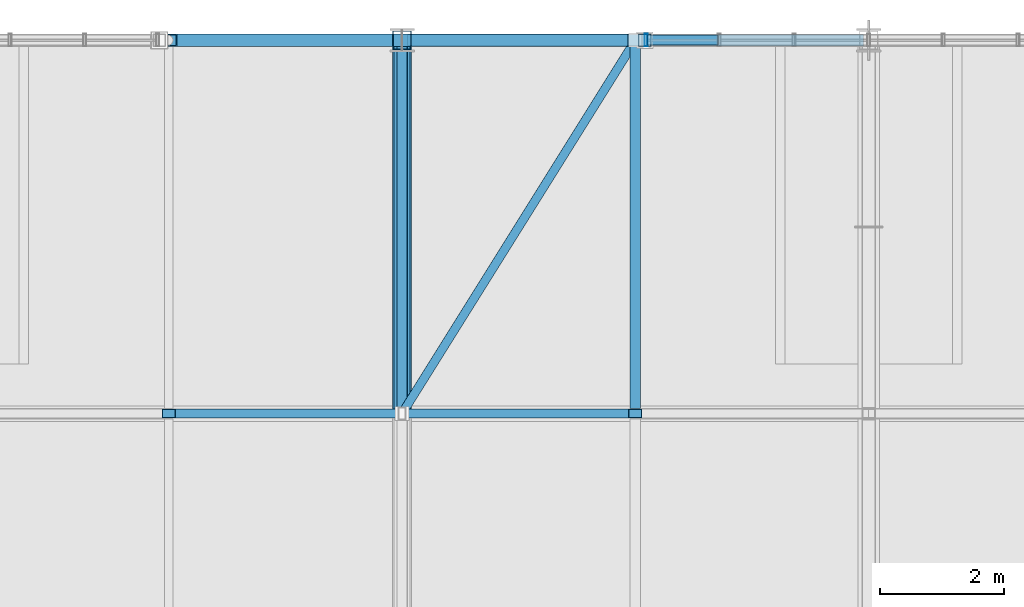
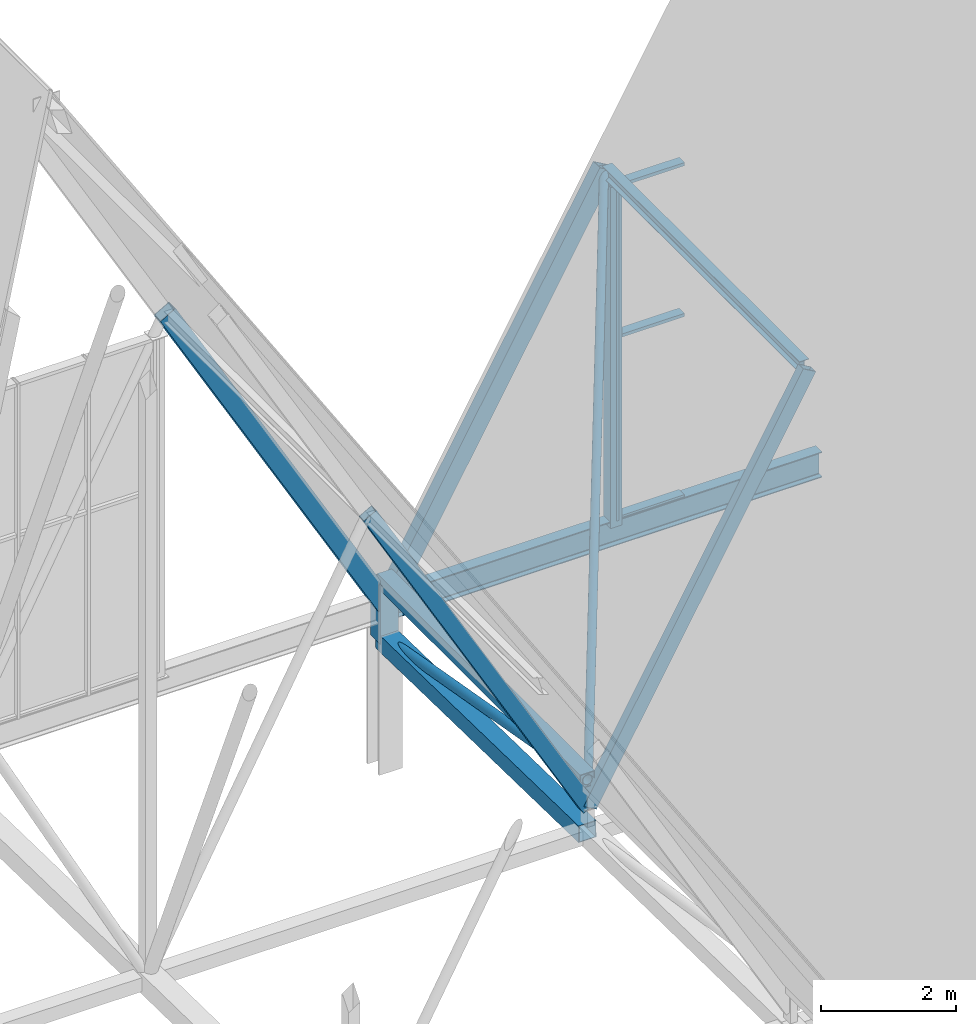
# One storey, part 155 of 324: 14 members, 2 beams, 1 element without a shape of its own.
"""IFC4 building model written with IfcOpenShell, lengths in metres."""

from ifc_helpers import new_model, si_unit, direction, frame, origin, origin_2d, place, context, subcontext, project, spatial, hollow_rectangle, hollow_circle, i_section, extrude, material, layer, layer_set, material_profile, profile_set, type_object, element, aggregate, save


model = new_model("IFC4")

# Units and contexts
model_context = context("Model", 3, precision=1e-05, world=origin(), true_north=direction((0.0, 1.0)))
body_context = subcontext(model_context, "Body", "Model", "MODEL_VIEW")
ifc_project = project(units=[si_unit("LENGTHUNIT", "METRE"), si_unit("AREAUNIT", "SQUARE_METRE"), si_unit("VOLUMEUNIT", "CUBIC_METRE"), si_unit("PLANEANGLEUNIT", "RADIAN"), si_unit("MASSUNIT", "GRAM", prefix="KILO")], contexts=[model_context])

# Site, building, storey
site_placement = place(None, origin())
site = spatial("IfcSite", under=ifc_project, at=site_placement, CompositionType="ELEMENT")
building_placement = place(site_placement, origin())
building = spatial("IfcBuilding", under=site, at=building_placement, Name="Solvenia Promenade Tram Depot", CompositionType="ELEMENT")
storey_placement = place(building_placement, frame((0.0, 0.0, 4.5)))
storey = spatial("IfcBuildingStorey", under=building, at=storey_placement, Name="L01", CompositionType="ELEMENT", Elevation=4.5)

# Curtain wall, members
ifc_material_1 = material(Name="Anodized aluminium AW-6063 T6", Category="aluminium")
ifc_layer = layer(ifc_material_1, 0.14990234375, Name="Anodized aluminium AW-6063 T6", Category="aluminium")
ifc_layer_set = layer_set([ifc_layer], Name="Anodized aluminium AW-6063 T6")
curtain_wall_type = type_object("IfcCurtainWallType", Name="CW-Gable-1200", PredefinedType="NOTDEFINED", material=ifc_layer_set)
curtain_wall_placement = place(storey_placement, origin())
curtain_wall = element("IfcCurtainWall", 1, at=curtain_wall_placement, inside=storey, type_object=curtain_wall_type, Name="North Zigzag Gable 06 Peak Glazing", PredefinedType="NOTDEFINED")
ifc_material_profile_1 = material_profile(ifc_material_1, hollow_rectangle(XDim=0.199951171875, YDim=0.048095703125, WallThickness=0.00390625, at=origin_2d()), Name="ALU-M3", Category="aluminium")
ifc_profile_set_1 = profile_set([ifc_material_profile_1], Name="Anodized aluminium AW-6063 T6")
member_type_1 = type_object("IfcMemberType", Name="CWM-Mullion-3", PredefinedType="MULLION", material=ifc_profile_set_1)
member_1_placement = place(storey_placement, frame((78.924072265625, 126.0, 3.10009765625), z_axis=(0.0, 0.0, 1.0), x_axis=(0.0, 1.0, 0.0)))
member_1 = element("IfcMember", 2, at=member_1_placement, type_object=member_type_1, Name="CW-3 mullion 1", PredefinedType="MULLION", context=body_context, shape_type="SweptSolid", body=[
    extrude(hollow_rectangle(XDim=0.199951171875, YDim=0.048095703125, WallThickness=0.00390625, at=origin_2d()), origin(), (0.0, 0.0, 1.0), 6.0498046875),
])
ifc_material_profile_2 = material_profile(ifc_material_1, hollow_rectangle(XDim=0.159912109375, YDim=0.05810546875, WallThickness=0.00390625, at=origin_2d()), Name="ALU-T3", Category="aluminium")
ifc_profile_set_2 = profile_set([ifc_material_profile_2], Name="Anodized aluminium AW-6063 T6")
member_type_2 = type_object("IfcMemberType", Name="CWT-Transom-3", PredefinedType="USERDEFINED", material=ifc_profile_set_2)
member_2_placement = place(storey_placement, frame((78.947998046875, 126.0, 3.12890625), z_axis=(1.0, 0.0, 0.0), x_axis=(0.0, 1.0, 0.0)))
member_2 = element("IfcMember", 3, at=member_2_placement, type_object=member_type_2, Name="CW-3 transom 1.1", ObjectType="TRANSOM", PredefinedType="USERDEFINED", context=body_context, shape_type="SweptSolid", body=[
    extrude(hollow_rectangle(XDim=0.159912109375, YDim=0.05810546875, WallThickness=0.00390625, at=origin_2d()), origin(), (0.0, 0.0, 1.0), 1.1279296875),
])
member_3_placement = place(storey_placement, frame((78.947998046875, 126.0, 6.39990234375), z_axis=(1.0, 0.0, 0.0), x_axis=(0.0, 1.0, 0.0)))
member_3 = element("IfcMember", 4, at=member_3_placement, type_object=member_type_2, Name="CW-3 transom 1.2", ObjectType="TRANSOM", PredefinedType="USERDEFINED", context=body_context, shape_type="SweptSolid", body=[
    extrude(hollow_rectangle(XDim=0.159912109375, YDim=0.05810546875, WallThickness=0.00390625, at=origin_2d()), origin(), (0.0, 0.0, 1.0), 1.1279296875),
])
member_4_placement = place(storey_placement, frame((78.947998046875, 126.0, 9.12109375), z_axis=(1.0, 0.0, 0.0), x_axis=(0.0, 1.0, 0.0)))
member_4 = element("IfcMember", 5, at=member_4_placement, type_object=member_type_2, Name="CW-3 transom 1.3", ObjectType="TRANSOM", PredefinedType="USERDEFINED", context=body_context, shape_type="SweptSolid", body=[
    extrude(hollow_rectangle(XDim=0.159912109375, YDim=0.05810546875, WallThickness=0.00390625, at=origin_2d()), origin(), (0.0, 0.0, 1.0), 1.1279296875),
])
aggregate(curtain_wall, [member_1, member_2, member_3, member_4])

# Members
ifc_material_2 = material(Name="Structural steel ASTM A500 Gr. C", Category="steel")
ifc_material_profile_3 = material_profile(ifc_material_2, hollow_rectangle(XDim=0.14990234375, YDim=0.25, WallThickness=0.010009765625, at=origin_2d()), Name="HSS250x150x10", Category="steel")
ifc_profile_set_3 = profile_set([ifc_material_profile_3], Name="Structural steel ASTM A500 Gr. C")
member_type_3 = type_object("IfcMemberType", Name="Chord-HSS250x150x10", PredefinedType="CHORD", material=ifc_profile_set_3)
for number, where, z_axis, x_axis, name in (
    (6, (71.25, 120.0, 9.501220703125), (0.494861595532, 0.0, -0.868971806946), (0.0, 1.0, 0.0), "Zigzag Gable 05 East Lower Rafter"),
    (7, (75.0, 120.0, 2.916259765625), (0.494861595532, 0.0, 0.868971806946), (0.0, 1.0, 0.0), "Zigzag Gable 06 West Lower Rafter"),
):
    element("IfcMember", number, at=place(storey_placement, frame(where, z_axis=z_axis, x_axis=x_axis)), inside=storey, type_object=member_type_3, Name=name, PredefinedType="CHORD", context=body_context, shape_type="SweptSolid", body=[
        extrude(hollow_rectangle(XDim=0.14990234375, YDim=0.25, WallThickness=0.010009765625, at=origin_2d()), origin(), (0.0, 0.0, 1.0), 7.577880859375),
    ])
ifc_material_profile_4 = material_profile(ifc_material_2, hollow_rectangle(XDim=0.25, YDim=0.25, WallThickness=0.010009765625, at=origin_2d()), Name="HSS250x250x10", Category="steel")
ifc_profile_set_4 = profile_set([ifc_material_profile_4], Name="Structural steel ASTM A500 Gr. C")
member_type_4 = type_object("IfcMemberType", Name="Chord-HSS250x250x10", PredefinedType="CHORD", material=ifc_profile_set_4)
member_5_placement = place(storey_placement, frame((75.0, 120.0, 3.3798828125), z_axis=(0.0, 1.0, 0.0), x_axis=(-1.0, 0.0, 0.0)))
element("IfcMember", 8, at=member_5_placement, inside=storey, type_object=member_type_4, Name="Arched Truss T11 Upper Chord S10", PredefinedType="CHORD", context=body_context, shape_type="SweptSolid", body=[
    extrude(hollow_rectangle(XDim=0.25, YDim=0.25, WallThickness=0.010009765625, at=origin_2d()), origin(), (0.0, 0.0, 1.0), 6.0),
])
ifc_material_profile_5 = material_profile(ifc_material_2, hollow_rectangle(XDim=0.199951171875, YDim=0.300048828125, WallThickness=0.012451171875, at=origin_2d()), Name="HSS300x200x12.5", Category="steel")
ifc_profile_set_5 = profile_set([ifc_material_profile_5], Name="Structural steel ASTM A500 Gr. C")
member_type_5 = type_object("IfcMemberType", Name="Chord-HSS300x200x12", PredefinedType="CHORD", material=ifc_profile_set_5)
for number, where, z_axis, x_axis, name in (
    (9, (71.25, 126.0, 9.501220703125), (0.494861595532, 0.0, -0.868971806946), (0.0, 1.0, 0.0), "Zigzag Gable 05 East Lower Rafter"),
    (10, (75.0, 126.0, 2.916259765625), (0.494861595532, 0.0, 0.868971806946), (0.0, 1.0, 0.0), "Zigzag Gable 06 West Lower Rafter"),
):
    element("IfcMember", number, at=place(storey_placement, frame(where, z_axis=z_axis, x_axis=x_axis)), inside=storey, type_object=member_type_5, Name=name, PredefinedType="CHORD", context=body_context, shape_type="SweptSolid", body=[
        extrude(hollow_rectangle(XDim=0.199951171875, YDim=0.300048828125, WallThickness=0.012451171875, at=origin_2d()), origin(), (0.0, 0.0, 1.0), 7.577880859375),
    ])
ifc_material_profile_6 = material_profile(ifc_material_2, hollow_rectangle(XDim=0.300048828125, YDim=0.300048828125, WallThickness=0.012451171875, at=origin_2d()), Name="HSS300x300x12.5", Category="steel")
ifc_profile_set_6 = profile_set([ifc_material_profile_6], Name="Structural steel ASTM A500 Gr. C")
member_type_6 = type_object("IfcMemberType", Name="Chord-HSS300x300x12", PredefinedType="CHORD", material=ifc_profile_set_6)
member_6_placement = place(storey_placement, frame((75.0, 126.0, 2.320068359375), z_axis=(0.0, 0.0, 1.0), x_axis=(1.0, 0.0, 0.0)))
element("IfcMember", 11, at=member_6_placement, inside=storey, type_object=member_type_6, Name="Arched Truss T11 N End Post", PredefinedType="CHORD", context=body_context, shape_type="SweptSolid", body=[
    extrude(hollow_rectangle(XDim=0.300048828125, YDim=0.300048828125, WallThickness=0.012451171875, at=origin_2d()), origin(), (0.0, 0.0, 1.0), 1.059814453125),
])
member_7_placement = place(storey_placement, frame((75.0, 120.0, 2.446044921875), z_axis=(0.0, 0.999779654873, -0.020991467363), x_axis=(-1.0, 0.0, 0.0)))
element("IfcMember", 12, at=member_7_placement, inside=storey, type_object=member_type_6, Name="Arched Truss T11 Bottom Chord S10", PredefinedType="CHORD", context=body_context, shape_type="SweptSolid", body=[
    extrude(hollow_rectangle(XDim=0.300048828125, YDim=0.300048828125, WallThickness=0.012451171875, at=origin_2d()), origin(), (0.0, 0.0, 1.0), 6.001220703125),
])
ifc_material_profile_7 = material_profile(ifc_material_2, hollow_rectangle(XDim=0.199951171875, YDim=0.199951171875, WallThickness=0.010009765625, at=origin_2d()), Name="HSS200x200x10", Category="steel")
ifc_profile_set_7 = profile_set([ifc_material_profile_7], Name="Structural steel ASTM A500 Gr. C")
member_type_7 = type_object("IfcMemberType", Name="Post-HSS200x200x10", PredefinedType="POST", material=ifc_profile_set_7)
member_8_placement = place(storey_placement, frame((78.89990234375, 126.0, 3.0), z_axis=(0.0, 0.0, 1.0), x_axis=(1.0, 0.0, 0.0)))
element("IfcMember", 13, at=member_8_placement, inside=storey, type_object=member_type_7, Name="Gable Curtain-Wall Steel Jamb Post 021", PredefinedType="POST", context=body_context, shape_type="SweptSolid", body=[
    extrude(hollow_rectangle(XDim=0.199951171875, YDim=0.199951171875, WallThickness=0.010009765625, at=origin_2d()), origin(), (0.0, 0.0, 1.0), 6.14990234375),
])

# Beam
ifc_material_3 = material(Name="Structural steel ASTM A992 Gr. 50", Category="steel")
ifc_material_profile_8 = material_profile(ifc_material_3, i_section(OverallWidth=0.1650390625, OverallDepth=0.200927734375, WebThickness=0.006103515625, FlangeThickness=0.01025390625, FilletRadius=0.010009765625, at=origin_2d()), Name="W200x36", Category="steel")
ifc_profile_set_8 = profile_set([ifc_material_profile_8], Name="Structural steel ASTM A992 Gr. 50")
beam_type_1 = type_object("IfcBeamType", Name="Purlin-W200x36", PredefinedType="USERDEFINED", material=ifc_profile_set_8)
beam_1_placement = place(storey_placement, frame((78.75, 120.0849609375, 9.484130859375), z_axis=(0.0, 1.0, 0.0), x_axis=(-1.0, 0.0, 0.0)))
element("IfcBeam", 14, at=beam_1_placement, inside=storey, type_object=beam_type_1, Name="Gable Roof Purlin W-0119", ObjectType="PURLIN", PredefinedType="USERDEFINED", context=body_context, shape_type="SweptSolid", body=[
    extrude(i_section(OverallWidth=0.1650390625, OverallDepth=0.200927734375, WebThickness=0.006103515625, FlangeThickness=0.01025390625, FilletRadius=0.010009765625, at=origin_2d()), origin(), (0.0, 0.0, 1.0), 5.830078125),
])

# Member
ifc_material_profile_9 = material_profile(ifc_material_2, hollow_circle(Radius=0.06982421875, WallThickness=0.00634765625, at=origin_2d()), Name="CHS139.7x6.3", Category="steel")
ifc_profile_set_9 = profile_set([ifc_material_profile_9], Name="Structural steel ASTM A500 Gr. C")
member_type_8 = type_object("IfcMemberType", Name="RoofBrace-CHS140x6", PredefinedType="BRACE", material=ifc_profile_set_9)
member_9_placement = place(storey_placement, frame((75.0, 120.0, 2.916259765625), z_axis=(0.387973041427, 0.620756866284, 0.681276619361), x_axis=(-0.847998304005, 0.529998940003, 0.0)))
element("IfcMember", 15, at=member_9_placement, inside=storey, type_object=member_type_8, Name="Roof Plan Wind Brace 012", PredefinedType="BRACE", context=body_context, shape_type="SweptSolid", body=[
    extrude(hollow_circle(Radius=0.06982421875, WallThickness=0.00634765625, at=origin_2d()), origin(), (0.0, 0.0, 1.0), 9.66552734375),
])

# Beam
ifc_material_profile_10 = material_profile(ifc_material_3, i_section(OverallWidth=0.19091796875, OverallDepth=0.4599609375, WebThickness=0.010009765625, FlangeThickness=0.01611328125, FilletRadius=0.012939453125, at=origin_2d()), Name="W460x82", Category="steel")
ifc_profile_set_10 = profile_set([ifc_material_profile_10], Name="Structural steel ASTM A992 Gr. 50")
beam_type_2 = type_object("IfcBeamType", Name="Spandrel-W460x82", PredefinedType="SPANDREL", material=ifc_profile_set_10)
beam_2_placement = place(storey_placement, frame((75.0849609375, 126.0, 2.889892578125), z_axis=(1.0, 0.0, 0.0), x_axis=(0.0, 1.0, 0.0)))
element("IfcBeam", 16, at=beam_2_placement, inside=storey, type_object=beam_type_2, Name="North Shed Eave Girder BM-L01-0978", PredefinedType="SPANDREL", context=body_context, shape_type="SweptSolid", body=[
    extrude(i_section(OverallWidth=0.19091796875, OverallDepth=0.4599609375, WebThickness=0.010009765625, FlangeThickness=0.01611328125, FilletRadius=0.012939453125, at=origin_2d()), origin(), (0.0, 0.0, 1.0), 7.330078125),
])

# Member
ifc_material_profile_11 = material_profile(ifc_material_2, hollow_circle(Radius=0.084228515625, WallThickness=0.008056640625, at=origin_2d()), Name="CHS168.3x8", Category="steel")
ifc_profile_set_11 = profile_set([ifc_material_profile_11], Name="Structural steel ASTM A500 Gr. C")
member_type_9 = type_object("IfcMemberType", Name="WebDiag-CHS168x8", PredefinedType="BRACE", material=ifc_profile_set_11)
member_10_placement = place(storey_placement, frame((75.0, 126.0, 2.320068359375), z_axis=(0.0, -0.984755712458, 0.173943056143), x_axis=(1.0, 0.0, 0.0)))
element("IfcMember", 17, at=member_10_placement, inside=storey, type_object=member_type_9, Name="Arched Truss T11 Web Diagonal S10", PredefinedType="BRACE", context=body_context, shape_type="SweptSolid", body=[
    extrude(hollow_circle(Radius=0.084228515625, WallThickness=0.008056640625, at=origin_2d()), origin(), (0.0, 0.0, 1.0), 6.0927734375),
])

save(model, "model.ifc")
